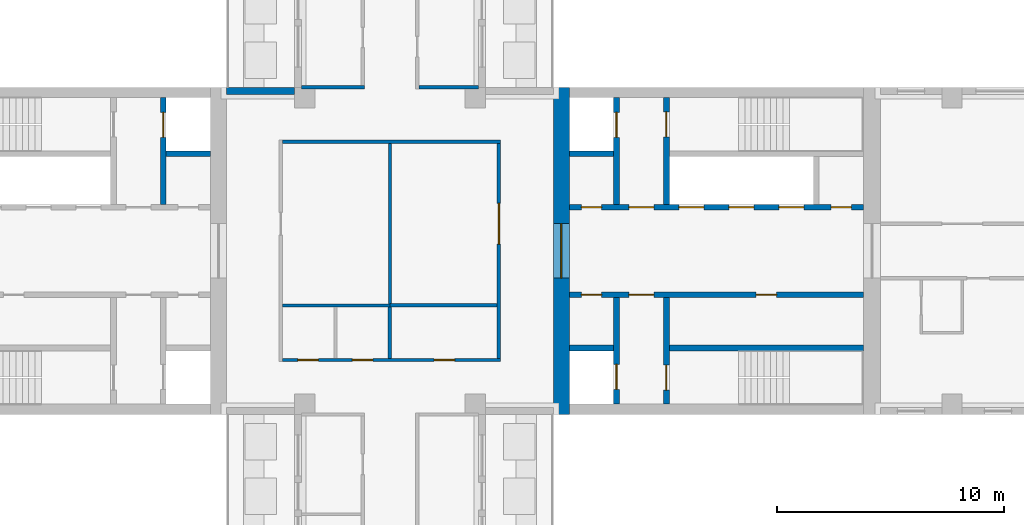
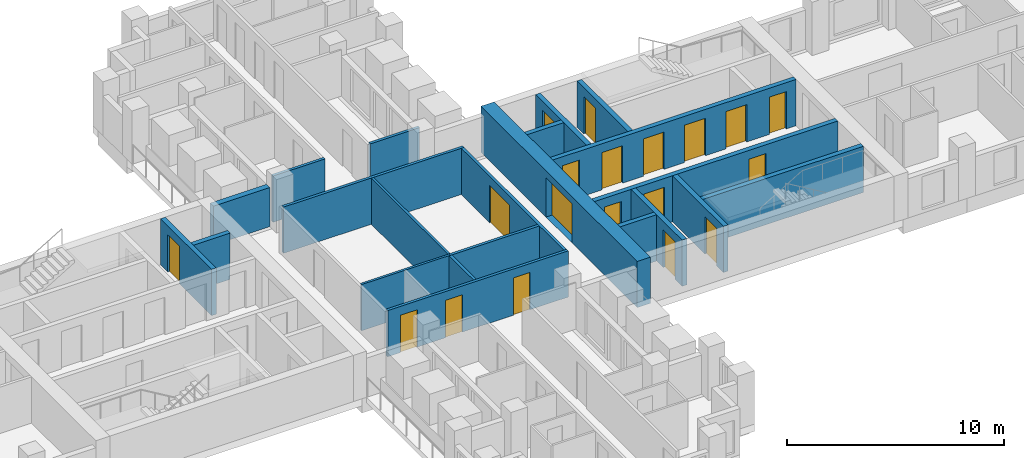
# One storey, part 6 of 12: 22 walls, 19 doors, 19 openings.
"""IFC4 building model written with IfcOpenShell, lengths in metres."""

import ifcopenshell
import ifcopenshell.guid

model = None  # the IFC model being written
_history = None  # IfcOwnerHistory: only IFC2X3 demands one
_inside = {}  # id of a spatial element -> (the spatial element, [elements in it])
_under = {}  # id of a project, library or spatial element -> (it, [spatial elements below it])
_declared = {}  # id of a project -> (the project, [libraries it declares])
_typed = {}  # id of a type object -> (the type object, [elements of that type])
_made_of = {}  # id of a material, layer set ... -> (it, [elements and type objects made of it])


def new_model(schema):
    """Start an empty IFC model of exactly this schema.

    Asked for "IFC4X3", IfcOpenShell would pick the latest addendum, in which some entities
    have other attributes; the version numbers below select the first issue.
    IFC2X3 requires an IfcOwnerHistory on every rooted entity: one is made here for all.
    """
    global model, _history
    if schema == "IFC4X3":
        model = ifcopenshell.file(schema_version=(4, 3, 0, 0))
    else:
        model = ifcopenshell.file(schema=schema)
    _inside.clear()
    _under.clear()
    _declared.clear()
    _typed.clear()
    _made_of.clear()
    _history = None
    if model.schema == "IFC2X3":
        org = make("IfcOrganization", Name="unknown")
        user = make(
            "IfcPersonAndOrganization",
            ThePerson=make("IfcPerson", FamilyName="unknown"),
            TheOrganization=org,
        )
        app = make(
            "IfcApplication",
            ApplicationDeveloper=org,
            Version="unknown",
            ApplicationFullName="unknown",
            ApplicationIdentifier="unknown",
        )
        _history = make(
            "IfcOwnerHistory",
            OwningUser=user,
            OwningApplication=app,
            ChangeAction="ADDED",
            CreationDate=0,
        )
    return model


def make(cls, **values):
    """One entity of the class cls with the attributes given. An attribute that is None is left unset."""
    return model.create_entity(
        cls, **{name: value for name, value in values.items() if value is not None}
    )


def rooted(cls, **values):
    """An entity with a GlobalId (a new one), such as an element, a storey or a relation."""
    return make(cls, GlobalId=ifcopenshell.guid.new(), OwnerHistory=_history, **values)


def si_unit(unit_type, name, prefix=None):
    """IfcSIUnit, for example si_unit("LENGTHUNIT", "METRE", prefix="MILLI")."""
    return make("IfcSIUnit", UnitType=unit_type, Prefix=prefix, Name=name)


def assignment(units):
    """IfcUnitAssignment: the units of a project."""
    return None if units is None else make("IfcUnitAssignment", Units=units)


def point(xyz):
    """IfcCartesianPoint."""
    return None if xyz is None else make("IfcCartesianPoint", Coordinates=xyz)


def direction(xyz):
    """IfcDirection."""
    return None if xyz is None else make("IfcDirection", DirectionRatios=xyz)


def frame(location, z_axis=None, x_axis=None):
    """IfcAxis2Placement3D, a coordinate frame: its origin and axes. An axis left out is left unset."""
    return make(
        "IfcAxis2Placement3D",
        Location=point(location),
        Axis=direction(z_axis),
        RefDirection=direction(x_axis),
    )


def frame_2d(location, x_axis=None):
    """IfcAxis2Placement2D, a coordinate frame in the plane: its origin and x axis."""
    return make(
        "IfcAxis2Placement2D", Location=point(location), RefDirection=direction(x_axis)
    )


def origin():
    """The frame at (0, 0, 0) with its axes left unset."""
    return frame((0.0, 0.0, 0.0))


def place(relative_to, where):
    """IfcLocalPlacement: puts the frame where relative to a parent placement (None: the world)."""
    return make(
        "IfcLocalPlacement", PlacementRelTo=relative_to, RelativePlacement=where
    )


def context(
    kind, dimensions, precision=None, world=None, true_north=None, identifier=None
):
    """IfcGeometricRepresentationContext, for example the 3D "Model" context."""
    return make(
        "IfcGeometricRepresentationContext",
        ContextIdentifier=identifier,
        ContextType=kind,
        CoordinateSpaceDimension=dimensions,
        Precision=precision,
        WorldCoordinateSystem=world,
        TrueNorth=true_north,
    )


def subcontext(parent, identifier, kind, view, scale=None):
    """IfcGeometricRepresentationSubContext, for example "Body" below "Model"."""
    return make(
        "IfcGeometricRepresentationSubContext",
        ContextIdentifier=identifier,
        ContextType=kind,
        ParentContext=parent,
        TargetScale=scale,
        TargetView=view,
    )


def project(units=None, contexts=None):
    """IfcProject with its units and contexts."""
    return rooted(
        "IfcProject",
        Name="project",
        RepresentationContexts=contexts,
        UnitsInContext=assignment(units),
    )


def spatial(cls, under=None, at=None, **own):
    """A site, building, storey or space (cls), placed at a placement, below another one or the project."""
    s = rooted(cls, ObjectPlacement=at, **own)
    if under is not None:
        _under.setdefault(under.id(), (under, []))[1].append(s)
    return s


def profile(cls, at=None, kind="AREA", **sizes):
    """A parametric profile (cls). Its sizes go by their IFC names, for example OverallWidth=200.0."""
    return make(cls, ProfileType=kind, Position=at, **sizes)


def rectangle(**sizes):
    """IfcRectangleProfileDef."""
    return profile("IfcRectangleProfileDef", **sizes)


def extrude(swept, where, along, depth):
    """IfcExtrudedAreaSolid: the profile swept, set in the frame where, extruded along a direction by depth."""
    return make(
        "IfcExtrudedAreaSolid",
        SweptArea=swept,
        Position=where,
        ExtrudedDirection=direction(along),
        Depth=depth,
    )


def shape(context_of_items, identifier, shape_type, items):
    """IfcShapeRepresentation: the items that make up one representation, for example the "Body"."""
    return make(
        "IfcShapeRepresentation",
        ContextOfItems=context_of_items,
        RepresentationIdentifier=identifier,
        RepresentationType=shape_type,
        Items=items,
    )


def material(Name=None, Category=None):
    """IfcMaterial."""
    return make("IfcMaterial", Name=Name, Category=Category)


def layer(
    of_material, thickness, ventilated=None, Name=None, Category=None, Priority=None
):
    """IfcMaterialLayer: one layer of a wall or slab, of a material (None: an air gap)."""
    return make(
        "IfcMaterialLayer",
        Material=of_material,
        LayerThickness=thickness,
        IsVentilated=ventilated,
        Name=Name,
        Category=Category,
        Priority=Priority,
    )


def layer_set(layers, Name=None):
    """IfcMaterialLayerSet."""
    return make("IfcMaterialLayerSet", MaterialLayers=layers, LayerSetName=Name)


def made_of(thing, what):
    """Note that an element or type object is made of a material, layer set ...; save() writes the relation."""
    if what is not None:
        _made_of.setdefault(what.id(), (what, []))[1].append(thing)
    return thing


def type_object(cls, material=None, **own):
    """A type object (cls), such as IfcWallType, which elements share."""
    return made_of(rooted(cls, **own), material)


def element(
    cls,
    number,
    at=None,
    inside=None,
    cuts=None,
    type_object=None,
    material=None,
    context=None,
    identifier="Body",
    shape_type=None,
    held_by="IfcProductDefinitionShape",
    body=None,
    shapes=None,
    **own,
):
    """One element of the class cls, such as IfcWall. Its Tag is "e" and its number.

    at: its placement. inside: the storey or other place that contains it. cuts: it is an
    opening in that element (IfcRelVoidsElement). A single representation is given by context,
    identifier, shape_type and body (its items); several are given by shapes. held_by: the class
    of the entity that holds the representations. save() writes the other relations.
    """
    e = rooted(cls, Tag="e%d" % number, ObjectPlacement=at, **own)
    if body is not None:
        shapes = [shape(context, identifier, shape_type, body)]
    if shapes is not None:
        e.Representation = make(held_by, Representations=shapes)
    if inside is not None:
        _inside.setdefault(inside.id(), (inside, []))[1].append(e)
    if cuts is not None:
        rooted(
            "IfcRelVoidsElement", RelatingBuildingElement=cuts, RelatedOpeningElement=e
        )
    if type_object is not None:
        _typed.setdefault(type_object.id(), (type_object, []))[1].append(e)
    return made_of(e, material)


def fill(opening, filler):
    """IfcRelFillsElement: the door or window that sits in an opening."""
    return rooted(
        "IfcRelFillsElement",
        RelatingOpeningElement=opening,
        RelatedBuildingElement=filler,
    )


def aggregate(whole, parts):
    """IfcRelAggregates: a whole, such as a stair, and the parts it consists of."""
    return rooted("IfcRelAggregates", RelatingObject=whole, RelatedObjects=parts)


def save(model, path):
    """Write the relations noted so far, then the file.

    IfcRelAggregates (storeys below a building ...), IfcRelContainedInSpatialStructure (elements
    in a storey), IfcRelDefinesByType, IfcRelAssociatesMaterial and IfcRelDeclares: one each for
    every whole, place, type object, material and project.
    """
    for whole, parts in _under.values():
        aggregate(whole, parts)
    for where, things in _inside.values():
        rooted(
            "IfcRelContainedInSpatialStructure",
            RelatedElements=things,
            RelatingStructure=where,
        )
    for kind, things in _typed.values():
        rooted("IfcRelDefinesByType", RelatedObjects=things, RelatingType=kind)
    for what, things in _made_of.values():
        rooted("IfcRelAssociatesMaterial", RelatedObjects=things, RelatingMaterial=what)
    for by, libraries in _declared.values():
        rooted("IfcRelDeclares", RelatingContext=by, RelatedDefinitions=libraries)
    model.write(path)


model = new_model("IFC4")

# Units and contexts
model_context = context("Model", 3, precision=1e-05, world=origin(), true_north=direction((0.0, 1.0)))
body_context = subcontext(model_context, "Body", "Model", "MODEL_VIEW")
ifc_project = project(units=[si_unit("LENGTHUNIT", "METRE"), si_unit("AREAUNIT", "SQUARE_METRE"), si_unit("VOLUMEUNIT", "CUBIC_METRE"), si_unit("PLANEANGLEUNIT", "RADIAN"), si_unit("MASSUNIT", "GRAM", prefix="KILO")], contexts=[model_context])

# Site, building, storey
site_placement = place(None, origin())
site = spatial("IfcSite", under=ifc_project, at=site_placement, CompositionType="ELEMENT")
building_placement = place(site_placement, origin())
building = spatial("IfcBuilding", under=site, at=building_placement, Name="Fustian Cross Tower", CompositionType="ELEMENT")
storey_placement = place(building_placement, frame((0.0, 0.0, 156.300048828125)))
storey = spatial("IfcBuildingStorey", under=building, at=storey_placement, Name="L49", CompositionType="ELEMENT", Elevation=156.300048828125)

# Wall, openings, doors
ifc_material_1 = material(Name="Plasterboard on steel stud", Category="steel")
ifc_layer_1 = layer(ifc_material_1, 0.14990234375)
ifc_layer_set_1 = layer_set([ifc_layer_1], Name="Plasterboard on steel stud")
wall_type_1 = type_object("IfcWallType", Name="COMPARTMENT WALL 150 EI 60", PredefinedType="PARTITIONING", material=ifc_layer_set_1)
wall_1_placement = place(storey_placement, frame((-4.72509765625, -4.800048828125, 0.0), z_axis=(0.0, 0.0, 1.0), x_axis=(1.0, 0.0, 0.0)))
wall_1 = element("IfcWall", 1, at=wall_1_placement, inside=storey, type_object=wall_type_1, Name="Partition 13", PredefinedType="PARTITIONING", context=body_context, shape_type="SweptSolid", body=[
    extrude(rectangle(XDim=9.60009765625, YDim=0.14990234375, at=frame_2d((4.800048828125, 0.0))), origin(), (0.0, 0.0, 1.0), 2.599853515625),
])
opening_1_placement = place(wall_1_placement, frame((0.675048828125, 0.0, 0.0)))
opening_1 = element("IfcOpeningElement", 2, at=opening_1_placement, cuts=wall_1, Name="Opening D22001", PredefinedType="OPENING", context=body_context, shape_type="SweptSolid", body=[
    extrude(rectangle(XDim=0.89990234375, YDim=2.10009765625, at=frame_2d((0.449951171875, 1.050048828125))), frame((0.0, 0.0849609375, 0.0), z_axis=(0.0, -1.0, 0.0), x_axis=(1.0, 0.0, 0.0)), (0.0, 0.0, 1.0), 0.169921875),
])
opening_2_placement = place(wall_1_placement, frame((3.074951171875, 0.0, 0.0)))
opening_2 = element("IfcOpeningElement", 3, at=opening_2_placement, cuts=wall_1, Name="Opening D22002", PredefinedType="OPENING", context=body_context, shape_type="SweptSolid", body=[
    extrude(rectangle(XDim=0.89990234375, YDim=2.10009765625, at=frame_2d((0.449951171875, 1.050048828125))), frame((0.0, 0.0849609375, 0.0), z_axis=(0.0, -1.0, 0.0), x_axis=(1.0, 0.0, 0.0)), (0.0, 0.0, 1.0), 0.169921875),
])
opening_3_placement = place(wall_1_placement, frame((6.675048828125, 0.0, 0.0)))
opening_3 = element("IfcOpeningElement", 4, at=opening_3_placement, cuts=wall_1, Name="Opening D22003", PredefinedType="OPENING", context=body_context, shape_type="SweptSolid", body=[
    extrude(rectangle(XDim=0.89990234375, YDim=2.10009765625, at=frame_2d((0.449951171875, 1.050048828125))), frame((0.0, 0.0849609375, 0.0), z_axis=(0.0, -1.0, 0.0), x_axis=(1.0, 0.0, 0.0)), (0.0, 0.0, 1.0), 0.169921875),
])
ifc_material_2 = material(Name="Timber fire door set", Category="wood")
door_type_1 = type_object("IfcDoorType", Name="FIRE SWING DOOR 900 FD30S", OperationType="SINGLE_SWING_LEFT", PredefinedType="DOOR", material=ifc_material_2)
door_1_placement = place(opening_1_placement, origin())
door_1 = element("IfcDoor", 5, at=door_1_placement, inside=storey, type_object=door_type_1, Name="Door D22001", OperationType="SINGLE_SWING_LEFT", OverallHeight=2.10009765625, OverallWidth=0.89990234375, PredefinedType="DOOR", context=body_context, shape_type="SweptSolid", body=[
    extrude(rectangle(XDim=0.89990234375, YDim=2.10009765625, at=frame_2d((0.449951171875, 1.050048828125))), frame((0.0, 0.02490234375, 0.0), z_axis=(0.0, -1.0, 0.0), x_axis=(1.0, 0.0, 0.0)), (0.0, 0.0, 1.0), 0.050048828125),
])
fill(opening_1, door_1)
door_2_placement = place(opening_2_placement, origin())
door_2 = element("IfcDoor", 6, at=door_2_placement, inside=storey, type_object=door_type_1, Name="Door D22002", OperationType="SINGLE_SWING_LEFT", OverallHeight=2.10009765625, OverallWidth=0.89990234375, PredefinedType="DOOR", context=body_context, shape_type="SweptSolid", body=[
    extrude(rectangle(XDim=0.89990234375, YDim=2.10009765625, at=frame_2d((0.449951171875, 1.050048828125))), frame((0.0, 0.02490234375, 0.0), z_axis=(0.0, -1.0, 0.0), x_axis=(1.0, 0.0, 0.0)), (0.0, 0.0, 1.0), 0.050048828125),
])
fill(opening_2, door_2)
door_3_placement = place(opening_3_placement, origin())
door_3 = element("IfcDoor", 7, at=door_3_placement, inside=storey, type_object=door_type_1, Name="Door D22003", OperationType="SINGLE_SWING_LEFT", OverallHeight=2.10009765625, OverallWidth=0.89990234375, PredefinedType="DOOR", context=body_context, shape_type="SweptSolid", body=[
    extrude(rectangle(XDim=0.89990234375, YDim=2.10009765625, at=frame_2d((0.449951171875, 1.050048828125))), frame((0.0, 0.02490234375, 0.0), z_axis=(0.0, -1.0, 0.0), x_axis=(1.0, 0.0, 0.0)), (0.0, 0.0, 1.0), 0.050048828125),
])
fill(opening_3, door_3)

# Walls
wall_2_placement = place(storey_placement, frame((-4.72509765625, 4.800048828125, 0.0), z_axis=(0.0, 0.0, 1.0), x_axis=(1.0, 0.0, 0.0)))
element("IfcWall", 8, at=wall_2_placement, inside=storey, type_object=wall_type_1, Name="Partition 15", PredefinedType="PARTITIONING", context=body_context, shape_type="SweptSolid", body=[
    extrude(rectangle(XDim=9.60009765625, YDim=0.14990234375, at=frame_2d((4.800048828125, 0.0))), origin(), (0.0, 0.0, 1.0), 2.599853515625),
])
wall_3_placement = place(storey_placement, frame((-3.89990234375, 7.199951171875, 0.0), z_axis=(0.0, 0.0, 1.0), x_axis=(1.0, 0.0, 0.0)))
element("IfcWall", 9, at=wall_3_placement, inside=storey, type_object=wall_type_1, Name="Partition 19", PredefinedType="PARTITIONING", context=body_context, shape_type="SweptSolid", body=[
    extrude(rectangle(XDim=2.77490234375, YDim=0.14990234375, at=frame_2d((1.387451171875, 0.0))), origin(), (0.0, 0.0, 1.0), 2.599853515625),
])
wall_4_placement = place(storey_placement, frame((0.0, -4.72509765625, 0.0), z_axis=(0.0, 0.0, 1.0), x_axis=(0.0, 1.0, 0.0)))
element("IfcWall", 10, at=wall_4_placement, inside=storey, type_object=wall_type_1, Name="Partition 29", PredefinedType="PARTITIONING", context=body_context, shape_type="SweptSolid", body=[
    extrude(rectangle(XDim=2.25, YDim=0.14990234375, at=frame_2d((1.125, 0.0))), origin(), (0.0, 0.0, 1.0), 2.599853515625),
])
wall_5_placement = place(storey_placement, frame((0.0, -2.39990234375, 0.0), z_axis=(0.0, 0.0, 1.0), x_axis=(1.0, 0.0, 0.0)))
element("IfcWall", 11, at=wall_5_placement, inside=storey, type_object=wall_type_1, Name="Partition 31", PredefinedType="PARTITIONING", context=body_context, shape_type="SweptSolid", body=[
    extrude(rectangle(XDim=4.72509765625, YDim=0.14990234375, at=frame_2d((2.362548828125, 0.0))), origin(), (0.0, 0.0, 1.0), 2.599853515625),
])
wall_6_placement = place(storey_placement, frame((1.27490234375, 7.199951171875, 0.0), z_axis=(0.0, 0.0, 1.0), x_axis=(1.0, 0.0, 0.0)))
element("IfcWall", 12, at=wall_6_placement, inside=storey, type_object=wall_type_1, Name="Partition 38", PredefinedType="PARTITIONING", context=body_context, shape_type="SweptSolid", body=[
    extrude(rectangle(XDim=2.625, YDim=0.14990234375, at=frame_2d((1.3125, 0.0))), origin(), (0.0, 0.0, 1.0), 2.599853515625),
])

# Wall, opening, door
wall_7_placement = place(storey_placement, frame((4.800048828125, -4.72509765625, 0.0), z_axis=(0.0, 0.0, 1.0), x_axis=(0.0, 1.0, 0.0)))
wall_7 = element("IfcWall", 13, at=wall_7_placement, inside=storey, type_object=wall_type_1, Name="Partition 44", PredefinedType="PARTITIONING", context=body_context, shape_type="SweptSolid", body=[
    extrude(rectangle(XDim=9.4501953125, YDim=0.14990234375, at=frame_2d((4.72509765625, 0.0))), origin(), (0.0, 0.0, 1.0), 2.599853515625),
])
opening_4_placement = place(wall_7_placement, frame((5.02490234375, 0.0, 0.0)))
opening_4 = element("IfcOpeningElement", 14, at=opening_4_placement, cuts=wall_7, Name="Opening D22005", PredefinedType="OPENING", context=body_context, shape_type="SweptSolid", body=[
    extrude(rectangle(XDim=1.800048828125, YDim=2.10009765625, at=frame_2d((0.89990234375, 1.050048828125))), frame((0.0, 0.0849609375, 0.0), z_axis=(0.0, -1.0, 0.0), x_axis=(1.0, 0.0, 0.0)), (0.0, 0.0, 1.0), 0.169921875),
])
ifc_material_3 = material(Name="Timber fire door set", Category="wood")
door_type_2 = type_object("IfcDoorType", Name="FIRE DOUBLE DOOR 1800 FD30S", OperationType="DOUBLE_DOOR_DOUBLE_SWING", PredefinedType="DOOR", material=ifc_material_3)
door_4_placement = place(opening_4_placement, frame((1.800048828125, 0.0, 0.0), z_axis=(0.0, 0.0, 1.0), x_axis=(-1.0, 0.0, 0.0)))
door_4 = element("IfcDoor", 15, at=door_4_placement, inside=storey, type_object=door_type_2, Name="Door D22005", OperationType="DOUBLE_DOOR_DOUBLE_SWING", OverallHeight=2.10009765625, OverallWidth=1.800048828125, PredefinedType="DOOR", context=body_context, shape_type="SweptSolid", body=[
    extrude(rectangle(XDim=1.800048828125, YDim=2.10009765625, at=frame_2d((0.89990234375, 1.050048828125))), frame((0.0, 0.02490234375, 0.0), z_axis=(0.0, -1.0, 0.0), x_axis=(1.0, 0.0, 0.0)), (0.0, 0.0, 1.0), 0.050048828125),
])
fill(opening_4, door_4)

ifc_material_4 = material(Name="Concrete C60/75", Category="concrete")
ifc_layer_2 = layer(ifc_material_4, 0.699951171875)
ifc_layer_set_2 = layer_set([ifc_layer_2], Name="Concrete C60/75")
wall_type_2 = type_object("IfcWallType", Name="CORE END WALL 700 C60/75", PredefinedType="SHEAR", material=ifc_layer_set_2)
wall_8_placement = place(storey_placement, frame((7.550048828125, -7.199951171875, 0.0), z_axis=(0.0, 0.0, 1.0), x_axis=(0.0, 1.0, 0.0)))
wall_8 = element("IfcWall", 16, at=wall_8_placement, inside=storey, type_object=wall_type_2, Name="Core end wall", PredefinedType="SHEAR", context=body_context, shape_type="SweptSolid", body=[
    extrude(rectangle(XDim=14.39990234375, YDim=0.699951171875, at=frame_2d((7.199951171875, 0.0))), origin(), (0.0, 0.0, 1.0), 2.599853515625),
])
opening_5_placement = place(wall_8_placement, frame((6.0, 0.0, 0.0)))
opening_5 = element("IfcOpeningElement", 17, at=opening_5_placement, cuts=wall_8, Name="Opening CD-17-12", PredefinedType="OPENING", context=body_context, shape_type="SweptSolid", body=[
    extrude(rectangle(XDim=2.39990234375, YDim=2.199951171875, at=frame_2d((1.199951171875, 1.10009765625))), frame((0.0, 0.35986328125, 0.0), z_axis=(0.0, -1.0, 0.0), x_axis=(1.0, 0.0, 0.0)), (0.0, 0.0, 1.0), 0.719970703125),
])
ifc_material_5 = material(Name="Steel", Category="steel")
door_type_3 = type_object("IfcDoorType", Name="FIRE DOOR FD30S DOUBLE 2400X2200", OperationType="DOUBLE_DOOR_DOUBLE_SWING", PredefinedType="DOOR", material=ifc_material_5)
door_5_placement = place(opening_5_placement, origin())
door_5 = element("IfcDoor", 18, at=door_5_placement, inside=storey, type_object=door_type_3, Name="Core door CD-17-12", OperationType="DOUBLE_DOOR_DOUBLE_SWING", OverallHeight=2.199951171875, OverallWidth=2.39990234375, PredefinedType="DOOR", context=body_context, shape_type="SweptSolid", body=[
    extrude(rectangle(XDim=2.39990234375, YDim=2.199951171875, at=frame_2d((1.199951171875, 1.10009765625))), frame((0.0, 0.02490234375, 0.0), z_axis=(0.0, -1.0, 0.0), x_axis=(1.0, 0.0, 0.0)), (0.0, 0.0, 1.0), 0.050048828125),
])
fill(opening_5, door_5)

# Wall, openings, doors
ifc_material_6 = material(Name="Concrete C50/60", Category="concrete")
ifc_layer_3 = layer(ifc_material_6, 0.25)
ifc_layer_set_3 = layer_set([ifc_layer_3], Name="Concrete C50/60")
wall_type_3 = type_object("IfcWallType", Name="CORE LOBBY WALL 250 C50/60", PredefinedType="SHEAR", material=ifc_layer_set_3)
wall_9_placement = place(storey_placement, frame((7.89990234375, 1.925048828125, 0.0), z_axis=(0.0, 0.0, 1.0), x_axis=(1.0, 0.0, 0.0)))
wall_9 = element("IfcWall", 19, at=wall_9_placement, inside=storey, type_object=wall_type_3, Name="Core lobby wall", PredefinedType="SHEAR", context=body_context, shape_type="SweptSolid", body=[
    extrude(rectangle(XDim=12.9501953125, YDim=0.25, at=frame_2d((6.47509765625, 0.0))), origin(), (0.0, 0.0, 1.0), 2.599853515625),
])
opening_6_placement = place(wall_9_placement, frame((4.824951171875, 0.0, 0.0)))
opening_6 = element("IfcOpeningElement", 20, at=opening_6_placement, cuts=wall_9, Name="Opening LD", PredefinedType="OPENING", context=body_context, shape_type="SweptSolid", body=[
    extrude(rectangle(XDim=1.10009765625, YDim=2.10009765625, at=frame_2d((0.550048828125, 1.050048828125))), frame((0.0, 0.135009765625, 0.0), z_axis=(0.0, -1.0, 0.0), x_axis=(1.0, 0.0, 0.0)), (0.0, 0.0, 1.0), 0.27001953125),
])
opening_7_placement = place(wall_9_placement, frame((7.02490234375, 0.0, 0.0)))
opening_7 = element("IfcOpeningElement", 21, at=opening_7_placement, cuts=wall_9, Name="Opening LD", PredefinedType="OPENING", context=body_context, shape_type="SweptSolid", body=[
    extrude(rectangle(XDim=1.10009765625, YDim=2.10009765625, at=frame_2d((0.550048828125, 1.050048828125))), frame((0.0, 0.135009765625, 0.0), z_axis=(0.0, -1.0, 0.0), x_axis=(1.0, 0.0, 0.0)), (0.0, 0.0, 1.0), 0.27001953125),
])
opening_8_placement = place(wall_9_placement, frame((9.22509765625, 0.0, 0.0)))
opening_8 = element("IfcOpeningElement", 22, at=opening_8_placement, cuts=wall_9, Name="Opening LD", PredefinedType="OPENING", context=body_context, shape_type="SweptSolid", body=[
    extrude(rectangle(XDim=1.10009765625, YDim=2.10009765625, at=frame_2d((0.550048828125, 1.050048828125))), frame((0.0, 0.135009765625, 0.0), z_axis=(0.0, -1.0, 0.0), x_axis=(1.0, 0.0, 0.0)), (0.0, 0.0, 1.0), 0.27001953125),
])
opening_9_placement = place(wall_9_placement, frame((0.52490234375, 0.0, 0.0)))
opening_9 = element("IfcOpeningElement", 23, at=opening_9_placement, cuts=wall_9, Name="Opening CD-17-08", PredefinedType="OPENING", context=body_context, shape_type="SweptSolid", body=[
    extrude(rectangle(XDim=0.89990234375, YDim=2.10009765625, at=frame_2d((0.449951171875, 1.050048828125))), frame((0.0, 0.135009765625, 0.0), z_axis=(0.0, -1.0, 0.0), x_axis=(1.0, 0.0, 0.0)), (0.0, 0.0, 1.0), 0.27001953125),
])
opening_10_placement = place(wall_9_placement, frame((2.625, 0.0, 0.0)))
opening_10 = element("IfcOpeningElement", 24, at=opening_10_placement, cuts=wall_9, Name="Opening CD-17-10", PredefinedType="OPENING", context=body_context, shape_type="SweptSolid", body=[
    extrude(rectangle(XDim=1.10009765625, YDim=2.10009765625, at=frame_2d((0.550048828125, 1.050048828125))), frame((0.0, 0.135009765625, 0.0), z_axis=(0.0, -1.0, 0.0), x_axis=(1.0, 0.0, 0.0)), (0.0, 0.0, 1.0), 0.27001953125),
])
opening_11_placement = place(wall_9_placement, frame((11.52490234375, 0.0, 0.0)))
opening_11 = element("IfcOpeningElement", 25, at=opening_11_placement, cuts=wall_9, Name="Opening CD-17-14", PredefinedType="OPENING", context=body_context, shape_type="SweptSolid", body=[
    extrude(rectangle(XDim=0.89990234375, YDim=2.10009765625, at=frame_2d((0.449951171875, 1.050048828125))), frame((0.0, 0.135009765625, 0.0), z_axis=(0.0, -1.0, 0.0), x_axis=(1.0, 0.0, 0.0)), (0.0, 0.0, 1.0), 0.27001953125),
])
ifc_material_7 = material(Name="Steel", Category="steel")
door_type_4 = type_object("IfcDoorType", Name="FIRE DOOR FD30S 900X2100", OperationType="SINGLE_SWING_LEFT", PredefinedType="DOOR", material=ifc_material_7)
door_6_placement = place(opening_11_placement, origin())
door_6 = element("IfcDoor", 26, at=door_6_placement, inside=storey, type_object=door_type_4, Name="Core door CD-17-14", OperationType="SINGLE_SWING_LEFT", OverallHeight=2.10009765625, OverallWidth=0.89990234375, PredefinedType="DOOR", context=body_context, shape_type="SweptSolid", body=[
    extrude(rectangle(XDim=0.89990234375, YDim=2.10009765625, at=frame_2d((0.449951171875, 1.050048828125))), frame((0.0, 0.02490234375, 0.0), z_axis=(0.0, -1.0, 0.0), x_axis=(1.0, 0.0, 0.0)), (0.0, 0.0, 1.0), 0.050048828125),
])
fill(opening_11, door_6)
ifc_material_8 = material(Name="Steel", Category="steel")
door_type_5 = type_object("IfcDoorType", Name="FIRE DOOR FD60S 1100X2100", OperationType="SINGLE_SWING_LEFT", PredefinedType="DOOR", material=ifc_material_8)
door_7_placement = place(opening_10_placement, frame((1.10009765625, 0.0, 0.0), z_axis=(0.0, 0.0, 1.0), x_axis=(-1.0, 0.0, 0.0)))
door_7 = element("IfcDoor", 27, at=door_7_placement, inside=storey, type_object=door_type_5, Name="Core door CD-17-10", OperationType="SINGLE_SWING_RIGHT", OverallHeight=2.10009765625, OverallWidth=1.10009765625, PredefinedType="DOOR", context=body_context, shape_type="SweptSolid", body=[
    extrude(rectangle(XDim=1.10009765625, YDim=2.10009765625, at=frame_2d((0.550048828125, 1.050048828125))), frame((0.0, 0.02490234375, 0.0), z_axis=(0.0, -1.0, 0.0), x_axis=(1.0, 0.0, 0.0)), (0.0, 0.0, 1.0), 0.050048828125),
])
fill(opening_10, door_7)
ifc_material_9 = material(Name="Steel", Category="steel")
door_type_6 = type_object("IfcDoorType", Name="FIRE DOOR FD60S 900X2100", OperationType="SINGLE_SWING_LEFT", PredefinedType="DOOR", material=ifc_material_9)
door_8_placement = place(opening_9_placement, origin())
door_8 = element("IfcDoor", 28, at=door_8_placement, inside=storey, type_object=door_type_6, Name="Core door CD-17-08", OperationType="SINGLE_SWING_LEFT", OverallHeight=2.10009765625, OverallWidth=0.89990234375, PredefinedType="DOOR", context=body_context, shape_type="SweptSolid", body=[
    extrude(rectangle(XDim=0.89990234375, YDim=2.10009765625, at=frame_2d((0.449951171875, 1.050048828125))), frame((0.0, 0.02490234375, 0.0), z_axis=(0.0, -1.0, 0.0), x_axis=(1.0, 0.0, 0.0)), (0.0, 0.0, 1.0), 0.050048828125),
])
fill(opening_9, door_8)
ifc_material_10 = material(Name="Stainless steel", Category="steel")
door_type_7 = type_object("IfcDoorType", Name="LIFT LANDING DOOR 1100X2100", OperationType="SLIDING_TO_LEFT", PredefinedType="DOOR", material=ifc_material_10)
door_9_placement = place(opening_6_placement, origin())
door_9 = element("IfcDoor", 29, at=door_9_placement, inside=storey, type_object=door_type_7, Name="Landing door HR1", OperationType="SLIDING_TO_LEFT", OverallHeight=2.10009765625, OverallWidth=1.10009765625, PredefinedType="DOOR", context=body_context, shape_type="SweptSolid", body=[
    extrude(rectangle(XDim=1.10009765625, YDim=2.10009765625, at=frame_2d((0.550048828125, 1.050048828125))), frame((0.0, 0.02490234375, 0.0), z_axis=(0.0, -1.0, 0.0), x_axis=(1.0, 0.0, 0.0)), (0.0, 0.0, 1.0), 0.050048828125),
])
fill(opening_6, door_9)
door_10_placement = place(opening_7_placement, origin())
door_10 = element("IfcDoor", 30, at=door_10_placement, inside=storey, type_object=door_type_7, Name="Landing door HR2", OperationType="SLIDING_TO_LEFT", OverallHeight=2.10009765625, OverallWidth=1.10009765625, PredefinedType="DOOR", context=body_context, shape_type="SweptSolid", body=[
    extrude(rectangle(XDim=1.10009765625, YDim=2.10009765625, at=frame_2d((0.550048828125, 1.050048828125))), frame((0.0, 0.02490234375, 0.0), z_axis=(0.0, -1.0, 0.0), x_axis=(1.0, 0.0, 0.0)), (0.0, 0.0, 1.0), 0.050048828125),
])
fill(opening_7, door_10)
door_11_placement = place(opening_8_placement, origin())
door_11 = element("IfcDoor", 31, at=door_11_placement, inside=storey, type_object=door_type_7, Name="Landing door HR3", OperationType="SLIDING_TO_LEFT", OverallHeight=2.10009765625, OverallWidth=1.10009765625, PredefinedType="DOOR", context=body_context, shape_type="SweptSolid", body=[
    extrude(rectangle(XDim=1.10009765625, YDim=2.10009765625, at=frame_2d((0.550048828125, 1.050048828125))), frame((0.0, 0.02490234375, 0.0), z_axis=(0.0, -1.0, 0.0), x_axis=(1.0, 0.0, 0.0)), (0.0, 0.0, 1.0), 0.050048828125),
])
fill(opening_8, door_11)

wall_10_placement = place(storey_placement, frame((7.89990234375, -1.925048828125, 0.0), z_axis=(0.0, 0.0, 1.0), x_axis=(1.0, 0.0, 0.0)))
wall_10 = element("IfcWall", 32, at=wall_10_placement, inside=storey, type_object=wall_type_3, Name="Core lobby wall", PredefinedType="SHEAR", context=body_context, shape_type="SweptSolid", body=[
    extrude(rectangle(XDim=12.9501953125, YDim=0.25, at=frame_2d((6.47509765625, 0.0))), origin(), (0.0, 0.0, 1.0), 2.599853515625),
])
opening_12_placement = place(wall_10_placement, frame((0.52490234375, 0.0, 0.0)))
opening_12 = element("IfcOpeningElement", 33, at=opening_12_placement, cuts=wall_10, Name="Opening CD-17-09", PredefinedType="OPENING", context=body_context, shape_type="SweptSolid", body=[
    extrude(rectangle(XDim=0.89990234375, YDim=2.10009765625, at=frame_2d((0.449951171875, 1.050048828125))), frame((0.0, 0.135009765625, 0.0), z_axis=(0.0, -1.0, 0.0), x_axis=(1.0, 0.0, 0.0)), (0.0, 0.0, 1.0), 0.27001953125),
])
opening_13_placement = place(wall_10_placement, frame((2.625, 0.0, 0.0)))
opening_13 = element("IfcOpeningElement", 34, at=opening_13_placement, cuts=wall_10, Name="Opening CD-17-11", PredefinedType="OPENING", context=body_context, shape_type="SweptSolid", body=[
    extrude(rectangle(XDim=1.10009765625, YDim=2.10009765625, at=frame_2d((0.550048828125, 1.050048828125))), frame((0.0, 0.135009765625, 0.0), z_axis=(0.0, -1.0, 0.0), x_axis=(1.0, 0.0, 0.0)), (0.0, 0.0, 1.0), 0.27001953125),
])
opening_14_placement = place(wall_10_placement, frame((8.22509765625, 0.0, 0.0)))
opening_14 = element("IfcOpeningElement", 35, at=opening_14_placement, cuts=wall_10, Name="Opening CD-17-15", PredefinedType="OPENING", context=body_context, shape_type="SweptSolid", body=[
    extrude(rectangle(XDim=0.89990234375, YDim=2.10009765625, at=frame_2d((0.449951171875, 1.050048828125))), frame((0.0, 0.135009765625, 0.0), z_axis=(0.0, -1.0, 0.0), x_axis=(1.0, 0.0, 0.0)), (0.0, 0.0, 1.0), 0.27001953125),
])
ifc_material_11 = material(Name="Steel", Category="steel")
door_type_8 = type_object("IfcDoorType", Name="FIRE DOOR FD30S 1100X2100", OperationType="SINGLE_SWING_LEFT", PredefinedType="DOOR", material=ifc_material_11)
door_12_placement = place(opening_13_placement, frame((1.10009765625, 0.0, 0.0), z_axis=(0.0, 0.0, 1.0), x_axis=(-1.0, 0.0, 0.0)))
door_12 = element("IfcDoor", 36, at=door_12_placement, inside=storey, type_object=door_type_8, Name="Core door CD-17-11", OperationType="SINGLE_SWING_RIGHT", OverallHeight=2.10009765625, OverallWidth=1.10009765625, PredefinedType="DOOR", context=body_context, shape_type="SweptSolid", body=[
    extrude(rectangle(XDim=1.10009765625, YDim=2.10009765625, at=frame_2d((0.550048828125, 1.050048828125))), frame((0.0, 0.02490234375, 0.0), z_axis=(0.0, -1.0, 0.0), x_axis=(1.0, 0.0, 0.0)), (0.0, 0.0, 1.0), 0.050048828125),
])
fill(opening_13, door_12)
door_13_placement = place(opening_12_placement, frame((0.89990234375, 0.0, 0.0), z_axis=(0.0, 0.0, 1.0), x_axis=(-1.0, 0.0, 0.0)))
door_13 = element("IfcDoor", 37, at=door_13_placement, inside=storey, type_object=door_type_4, Name="Core door CD-17-09", OperationType="SINGLE_SWING_RIGHT", OverallHeight=2.10009765625, OverallWidth=0.89990234375, PredefinedType="DOOR", context=body_context, shape_type="SweptSolid", body=[
    extrude(rectangle(XDim=0.89990234375, YDim=2.10009765625, at=frame_2d((0.449951171875, 1.050048828125))), frame((0.0, 0.02490234375, 0.0), z_axis=(0.0, -1.0, 0.0), x_axis=(1.0, 0.0, 0.0)), (0.0, 0.0, 1.0), 0.050048828125),
])
fill(opening_12, door_13)
door_14_placement = place(opening_14_placement, frame((0.89990234375, 0.0, 0.0), z_axis=(0.0, 0.0, 1.0), x_axis=(-1.0, 0.0, 0.0)))
door_14 = element("IfcDoor", 38, at=door_14_placement, inside=storey, type_object=door_type_4, Name="Core door CD-17-15", OperationType="SINGLE_SWING_LEFT", OverallHeight=2.10009765625, OverallWidth=0.89990234375, PredefinedType="DOOR", context=body_context, shape_type="SweptSolid", body=[
    extrude(rectangle(XDim=0.89990234375, YDim=2.10009765625, at=frame_2d((0.449951171875, 1.050048828125))), frame((0.0, 0.02490234375, 0.0), z_axis=(0.0, -1.0, 0.0), x_axis=(1.0, 0.0, 0.0)), (0.0, 0.0, 1.0), 0.050048828125),
])
fill(opening_14, door_14)

# Wall
ifc_material_12 = material(Name="Concrete C50/60", Category="concrete")
ifc_layer_4 = layer(ifc_material_12, 0.25)
ifc_layer_set_4 = layer_set([ifc_layer_4], Name="Concrete C50/60")
wall_type_4 = type_object("IfcWallType", Name="CORE SHAFT WALL 250 C50/60", PredefinedType="SHEAR", material=ifc_layer_set_4)
wall_11_placement = place(storey_placement, frame((7.89990234375, 4.27490234375, 0.0), z_axis=(0.0, 0.0, 1.0), x_axis=(1.0, 0.0, 0.0)))
element("IfcWall", 39, at=wall_11_placement, inside=storey, type_object=wall_type_4, Name="Core shaft wall", PredefinedType="SHEAR", context=body_context, shape_type="SweptSolid", body=[
    extrude(rectangle(XDim=1.9501953125, YDim=0.25, at=frame_2d((0.97509765625, 0.0))), origin(), (0.0, 0.0, 1.0), 2.599853515625),
])

# Wall, opening, door
wall_12_placement = place(storey_placement, frame((9.97509765625, 2.050048828125, 0.0), z_axis=(0.0, 0.0, 1.0), x_axis=(0.0, 1.0, 0.0)))
wall_12 = element("IfcWall", 40, at=wall_12_placement, inside=storey, type_object=wall_type_4, Name="Core shaft wall", PredefinedType="SHEAR", context=body_context, shape_type="SweptSolid", body=[
    extrude(rectangle(XDim=4.699951171875, YDim=0.25, at=frame_2d((2.35009765625, 0.0))), origin(), (0.0, 0.0, 1.0), 2.599853515625),
])
opening_15_placement = place(wall_12_placement, frame((2.949951171875, 0.0, 0.0)))
opening_15 = element("IfcOpeningElement", 41, at=opening_15_placement, cuts=wall_12, Name="Opening LD", PredefinedType="OPENING", context=body_context, shape_type="SweptSolid", body=[
    extrude(rectangle(XDim=1.10009765625, YDim=2.10009765625, at=frame_2d((0.550048828125, 1.050048828125))), frame((0.0, 0.135009765625, 0.0), z_axis=(0.0, -1.0, 0.0), x_axis=(1.0, 0.0, 0.0)), (0.0, 0.0, 1.0), 0.27001953125),
])
door_15_placement = place(opening_15_placement, origin())
door_15 = element("IfcDoor", 42, at=door_15_placement, inside=storey, type_object=door_type_7, Name="Landing door FL1", OperationType="SLIDING_TO_LEFT", OverallHeight=2.10009765625, OverallWidth=1.10009765625, PredefinedType="DOOR", context=body_context, shape_type="SweptSolid", body=[
    extrude(rectangle(XDim=1.10009765625, YDim=2.10009765625, at=frame_2d((0.550048828125, 1.050048828125))), frame((0.0, 0.02490234375, 0.0), z_axis=(0.0, -1.0, 0.0), x_axis=(1.0, 0.0, 0.0)), (0.0, 0.0, 1.0), 0.050048828125),
])
fill(opening_15, door_15)

wall_13_placement = place(storey_placement, frame((12.175048828125, 2.050048828125, 0.0), z_axis=(0.0, 0.0, 1.0), x_axis=(0.0, 1.0, 0.0)))
wall_13 = element("IfcWall", 43, at=wall_13_placement, inside=storey, type_object=wall_type_4, Name="Core shaft wall", PredefinedType="SHEAR", context=body_context, shape_type="SweptSolid", body=[
    extrude(rectangle(XDim=4.699951171875, YDim=0.25, at=frame_2d((2.35009765625, 0.0))), origin(), (0.0, 0.0, 1.0), 2.599853515625),
])
opening_16_placement = place(wall_13_placement, frame((2.97509765625, 0.0, 0.0)))
opening_16 = element("IfcOpeningElement", 44, at=opening_16_placement, cuts=wall_13, Name="Opening CD-17-06", PredefinedType="OPENING", context=body_context, shape_type="SweptSolid", body=[
    extrude(rectangle(XDim=1.10009765625, YDim=2.10009765625, at=frame_2d((0.550048828125, 1.050048828125))), frame((0.0, 0.135009765625, 0.0), z_axis=(0.0, -1.0, 0.0), x_axis=(1.0, 0.0, 0.0)), (0.0, 0.0, 1.0), 0.27001953125),
])
door_16_placement = place(opening_16_placement, frame((1.10009765625, 0.0, 0.0), z_axis=(0.0, 0.0, 1.0), x_axis=(-1.0, 0.0, 0.0)))
door_16 = element("IfcDoor", 45, at=door_16_placement, inside=storey, type_object=door_type_5, Name="Core door CD-17-06", OperationType="SINGLE_SWING_RIGHT", OverallHeight=2.10009765625, OverallWidth=1.10009765625, PredefinedType="DOOR", context=body_context, shape_type="SweptSolid", body=[
    extrude(rectangle(XDim=1.10009765625, YDim=2.10009765625, at=frame_2d((0.550048828125, 1.050048828125))), frame((0.0, 0.02490234375, 0.0), z_axis=(0.0, -1.0, 0.0), x_axis=(1.0, 0.0, 0.0)), (0.0, 0.0, 1.0), 0.050048828125),
])
fill(opening_16, door_16)

# Walls
wall_14_placement = place(storey_placement, frame((7.89990234375, -4.27490234375, 0.0), z_axis=(0.0, 0.0, 1.0), x_axis=(1.0, 0.0, 0.0)))
element("IfcWall", 46, at=wall_14_placement, inside=storey, type_object=wall_type_4, Name="Core shaft wall", PredefinedType="SHEAR", context=body_context, shape_type="SweptSolid", body=[
    extrude(rectangle(XDim=1.9501953125, YDim=0.25, at=frame_2d((0.97509765625, 0.0))), origin(), (0.0, 0.0, 1.0), 2.599853515625),
])
wall_15_placement = place(storey_placement, frame((12.300048828125, -4.27490234375, 0.0), z_axis=(0.0, 0.0, 1.0), x_axis=(1.0, 0.0, 0.0)))
element("IfcWall", 47, at=wall_15_placement, inside=storey, type_object=wall_type_4, Name="Core shaft wall", PredefinedType="SHEAR", context=body_context, shape_type="SweptSolid", body=[
    extrude(rectangle(XDim=8.550048828125, YDim=0.25, at=frame_2d((4.27490234375, 0.0))), origin(), (0.0, 0.0, 1.0), 2.599853515625),
])

# Wall, opening, door
wall_16_placement = place(storey_placement, frame((9.97509765625, -2.050048828125, 0.0), z_axis=(0.0, 0.0, 1.0), x_axis=(0.0, -1.0, 0.0)))
wall_16 = element("IfcWall", 48, at=wall_16_placement, inside=storey, type_object=wall_type_4, Name="Core shaft wall", PredefinedType="SHEAR", context=body_context, shape_type="SweptSolid", body=[
    extrude(rectangle(XDim=4.699951171875, YDim=0.25, at=frame_2d((2.35009765625, 0.0))), origin(), (0.0, 0.0, 1.0), 2.599853515625),
])
opening_17_placement = place(wall_16_placement, frame((2.949951171875, 0.0, 0.0)))
opening_17 = element("IfcOpeningElement", 49, at=opening_17_placement, cuts=wall_16, Name="Opening LD", PredefinedType="OPENING", context=body_context, shape_type="SweptSolid", body=[
    extrude(rectangle(XDim=1.10009765625, YDim=2.10009765625, at=frame_2d((0.550048828125, 1.050048828125))), frame((0.0, 0.135009765625, 0.0), z_axis=(0.0, -1.0, 0.0), x_axis=(1.0, 0.0, 0.0)), (0.0, 0.0, 1.0), 0.27001953125),
])
door_17_placement = place(opening_17_placement, origin())
door_17 = element("IfcDoor", 50, at=door_17_placement, inside=storey, type_object=door_type_7, Name="Landing door SV1", OperationType="SLIDING_TO_LEFT", OverallHeight=2.10009765625, OverallWidth=1.10009765625, PredefinedType="DOOR", context=body_context, shape_type="SweptSolid", body=[
    extrude(rectangle(XDim=1.10009765625, YDim=2.10009765625, at=frame_2d((0.550048828125, 1.050048828125))), frame((0.0, 0.02490234375, 0.0), z_axis=(0.0, -1.0, 0.0), x_axis=(1.0, 0.0, 0.0)), (0.0, 0.0, 1.0), 0.050048828125),
])
fill(opening_17, door_17)

wall_17_placement = place(storey_placement, frame((12.175048828125, -2.050048828125, 0.0), z_axis=(0.0, 0.0, 1.0), x_axis=(0.0, -1.0, 0.0)))
wall_17 = element("IfcWall", 51, at=wall_17_placement, inside=storey, type_object=wall_type_4, Name="Core shaft wall", PredefinedType="SHEAR", context=body_context, shape_type="SweptSolid", body=[
    extrude(rectangle(XDim=4.699951171875, YDim=0.25, at=frame_2d((2.35009765625, 0.0))), origin(), (0.0, 0.0, 1.0), 2.599853515625),
])
opening_18_placement = place(wall_17_placement, frame((2.97509765625, 0.0, 0.0)))
opening_18 = element("IfcOpeningElement", 52, at=opening_18_placement, cuts=wall_17, Name="Opening CD-17-07", PredefinedType="OPENING", context=body_context, shape_type="SweptSolid", body=[
    extrude(rectangle(XDim=1.10009765625, YDim=2.10009765625, at=frame_2d((0.550048828125, 1.050048828125))), frame((0.0, 0.135009765625, 0.0), z_axis=(0.0, -1.0, 0.0), x_axis=(1.0, 0.0, 0.0)), (0.0, 0.0, 1.0), 0.27001953125),
])
door_18_placement = place(opening_18_placement, origin())
door_18 = element("IfcDoor", 53, at=door_18_placement, inside=storey, type_object=door_type_5, Name="Core door CD-17-07", OperationType="SINGLE_SWING_LEFT", OverallHeight=2.10009765625, OverallWidth=1.10009765625, PredefinedType="DOOR", context=body_context, shape_type="SweptSolid", body=[
    extrude(rectangle(XDim=1.10009765625, YDim=2.10009765625, at=frame_2d((0.550048828125, 1.050048828125))), frame((0.0, 0.02490234375, 0.0), z_axis=(0.0, -1.0, 0.0), x_axis=(1.0, 0.0, 0.0)), (0.0, 0.0, 1.0), 0.050048828125),
])
fill(opening_18, door_18)

# Wall
wall_18_placement = place(storey_placement, frame((-7.89990234375, 4.27490234375, 0.0), z_axis=(0.0, 0.0, 1.0), x_axis=(-1.0, 0.0, 0.0)))
element("IfcWall", 54, at=wall_18_placement, inside=storey, type_object=wall_type_4, Name="Core shaft wall", PredefinedType="SHEAR", context=body_context, shape_type="SweptSolid", body=[
    extrude(rectangle(XDim=1.9501953125, YDim=0.25, at=frame_2d((0.97509765625, 0.0))), origin(), (0.0, 0.0, 1.0), 2.599853515625),
])

# Wall, opening, door
wall_19_placement = place(storey_placement, frame((-9.97509765625, 2.050048828125, 0.0), z_axis=(0.0, 0.0, 1.0), x_axis=(0.0, 1.0, 0.0)))
wall_19 = element("IfcWall", 55, at=wall_19_placement, inside=storey, type_object=wall_type_4, Name="Core shaft wall", PredefinedType="SHEAR", context=body_context, shape_type="SweptSolid", body=[
    extrude(rectangle(XDim=4.699951171875, YDim=0.25, at=frame_2d((2.35009765625, 0.0))), origin(), (0.0, 0.0, 1.0), 2.599853515625),
])
opening_19_placement = place(wall_19_placement, frame((2.949951171875, 0.0, 0.0)))
opening_19 = element("IfcOpeningElement", 56, at=opening_19_placement, cuts=wall_19, Name="Opening LD", PredefinedType="OPENING", context=body_context, shape_type="SweptSolid", body=[
    extrude(rectangle(XDim=1.10009765625, YDim=2.10009765625, at=frame_2d((0.550048828125, 1.050048828125))), frame((0.0, 0.135009765625, 0.0), z_axis=(0.0, -1.0, 0.0), x_axis=(1.0, 0.0, 0.0)), (0.0, 0.0, 1.0), 0.27001953125),
])
door_19_placement = place(opening_19_placement, origin())
door_19 = element("IfcDoor", 57, at=door_19_placement, inside=storey, type_object=door_type_7, Name="Landing door FL1W", OperationType="SLIDING_TO_LEFT", OverallHeight=2.10009765625, OverallWidth=1.10009765625, PredefinedType="DOOR", context=body_context, shape_type="SweptSolid", body=[
    extrude(rectangle(XDim=1.10009765625, YDim=2.10009765625, at=frame_2d((0.550048828125, 1.050048828125))), frame((0.0, 0.02490234375, 0.0), z_axis=(0.0, -1.0, 0.0), x_axis=(1.0, 0.0, 0.0)), (0.0, 0.0, 1.0), 0.050048828125),
])
fill(opening_19, door_19)

# Walls
ifc_material_13 = material(Name="Plasterboard on steel stud", Category="steel")
ifc_layer_5 = layer(ifc_material_13, 0.125)
ifc_layer_set_5 = layer_set([ifc_layer_5], Name="Plasterboard on steel stud")
wall_type_5 = type_object("IfcWallType", Name="WET WALL 125 STUD", PredefinedType="PARTITIONING", material=ifc_layer_set_5)
wall_20_placement = place(storey_placement, frame((-4.72509765625, -2.39990234375, 0.0), z_axis=(0.0, 0.0, 1.0), x_axis=(1.0, 0.0, 0.0)))
element("IfcWall", 58, at=wall_20_placement, inside=storey, type_object=wall_type_5, Name="Partition 14", PredefinedType="PARTITIONING", context=body_context, shape_type="SweptSolid", body=[
    extrude(rectangle(XDim=4.72509765625, YDim=0.125, at=frame_2d((2.362548828125, 0.0))), origin(), (0.0, 0.0, 1.0), 2.599853515625),
])
wall_21_placement = place(storey_placement, frame((0.0, -2.324951171875, 0.0), z_axis=(0.0, 0.0, 1.0), x_axis=(0.0, 1.0, 0.0)))
element("IfcWall", 59, at=wall_21_placement, inside=storey, type_object=wall_type_5, Name="Partition 30", PredefinedType="PARTITIONING", context=body_context, shape_type="SweptSolid", body=[
    extrude(rectangle(XDim=7.050048828125, YDim=0.125, at=frame_2d((3.52490234375, 0.0))), origin(), (0.0, 0.0, 1.0), 2.599853515625),
])
ifc_material_14 = material(Name="Dark aluminium cladding on insulated backing wall", Category="aluminium")
ifc_layer_6 = layer(ifc_material_14, 0.300048828125)
ifc_layer_set_6 = layer_set([ifc_layer_6], Name="Dark aluminium cladding on insulated backing wall")
wall_type_6 = type_object("IfcWallType", Name="XW1 EXTERNAL WALL 300", PredefinedType="SOLIDWALL", material=ifc_layer_set_6)
wall_22_placement = place(storey_placement, frame((-4.199951171875, 7.050048828125, 0.0), z_axis=(0.0, 0.0, 1.0), x_axis=(-1.0, 0.0, 0.0)))
element("IfcWall", 60, at=wall_22_placement, inside=storey, type_object=wall_type_6, Name="External wall", PredefinedType="SOLIDWALL", context=body_context, shape_type="SweptSolid", body=[
    extrude(rectangle(XDim=3.0, YDim=0.300048828125, at=frame_2d((1.5, 0.0))), origin(), (0.0, 0.0, 1.0), 2.199951171875),
])

save(model, "model.ifc")
